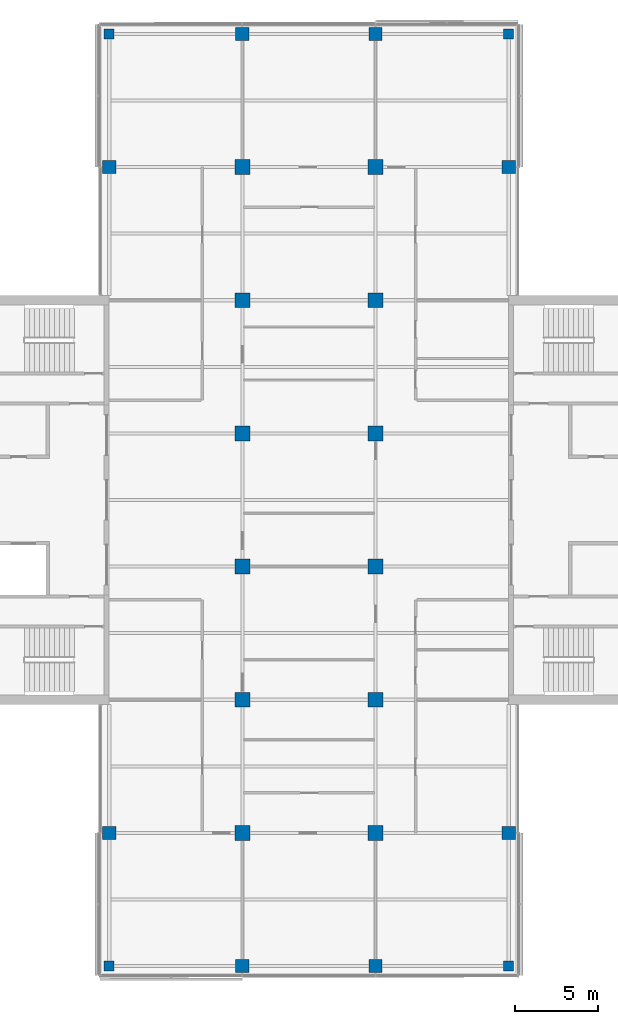
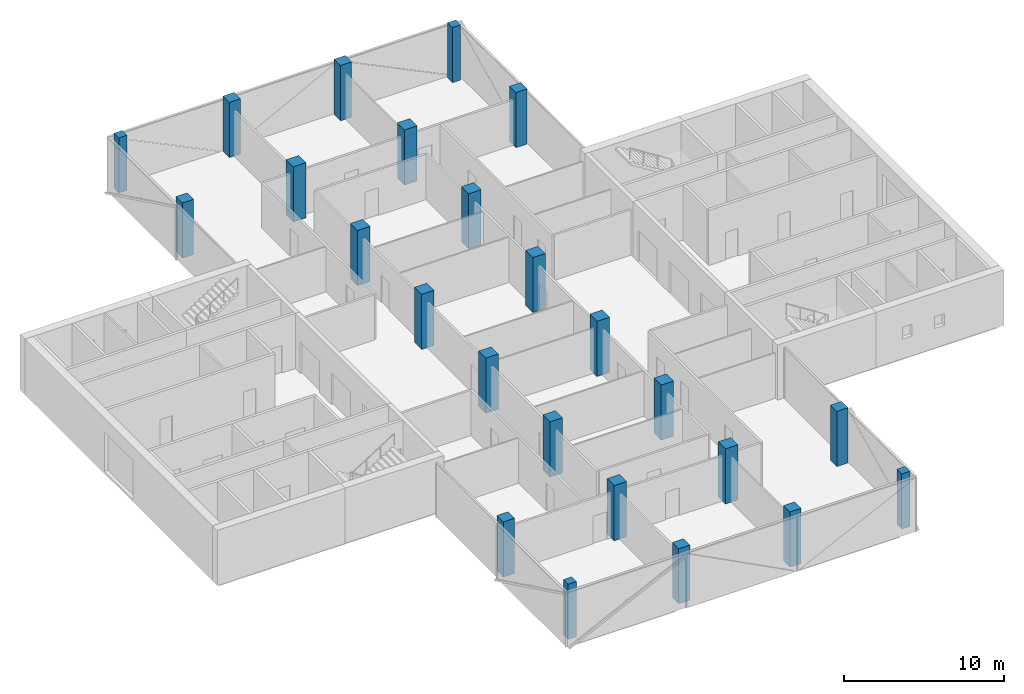
# One storey, part 1 of 15: 24 columns.
"""IFC4 building model written with IfcOpenShell, lengths in metres."""

from ifc_helpers import new_model, si_unit, direction, frame, origin, origin_2d, place, context, subcontext, project, spatial, rectangle, extrude, material, material_profile, profile_set, type_object, element, save


model = new_model("IFC4")

# Units and contexts
model_context = context("Model", 3, precision=1e-05, world=origin(), true_north=direction((0.0, 1.0)))
body_context = subcontext(model_context, "Body", "Model", "MODEL_VIEW")
ifc_project = project(units=[si_unit("LENGTHUNIT", "METRE"), si_unit("AREAUNIT", "SQUARE_METRE"), si_unit("VOLUMEUNIT", "CUBIC_METRE"), si_unit("PLANEANGLEUNIT", "RADIAN"), si_unit("MASSUNIT", "GRAM", prefix="KILO")], contexts=[model_context])

# Site, building, storey
site_placement = place(None, origin())
site = spatial("IfcSite", under=ifc_project, at=site_placement, CompositionType="ELEMENT")
building_placement = place(site_placement, origin())
building = spatial("IfcBuilding", under=site, at=building_placement, Name="Crosswind Convention Tower", CompositionType="ELEMENT")
storey_placement = place(building_placement, frame((0.0, 0.0, 195.699951171875)))
storey = spatial("IfcBuildingStorey", under=building, at=storey_placement, Name="L41", CompositionType="ELEMENT", Elevation=195.699951171875)

# Columns
ifc_material = material(Name="Concrete C60/75", Category="concrete")
ifc_material_profile_1 = material_profile(ifc_material, rectangle(XDim=0.60009765625, YDim=0.60009765625, at=origin_2d()), Name="RC 600X600")
ifc_profile_set_1 = profile_set([ifc_material_profile_1], Name="Concrete C60/75")
column_type_1 = type_object("IfcColumnType", Name="Column RC 600X600", PredefinedType="COLUMN", material=ifc_profile_set_1)
for number, where, z_axis, x_axis, name in (
    (1, (113.0, 72.0, 0.0), (0.0, 0.0, 1.0), (1.0, 0.0, 0.0), "C16 L41 5/C"),
    (2, (113.0, 128.0, 0.0), (0.0, 0.0, 1.0), (1.0, 0.0, 0.0), "C16 L41 5/J"),
    (3, (137.0, 72.0, 0.0), (0.0, 0.0, 1.0), (1.0, 0.0, 0.0), "C16 L41 8/C"),
    (4, (137.0, 128.0, 0.0), (0.0, 0.0, 1.0), (1.0, 0.0, 0.0), "C16 L41 8/J"),
):
    element("IfcColumn", number, at=place(storey_placement, frame(where, z_axis=z_axis, x_axis=x_axis)), inside=storey, type_object=column_type_1, Name=name, PredefinedType="COLUMN", context=body_context, shape_type="SweptSolid", body=[
        extrude(rectangle(XDim=0.60009765625, YDim=0.60009765625, at=origin_2d()), origin(), (0.0, 0.0, 1.0), 4.199951171875),
    ])
ifc_material_profile_2 = material_profile(ifc_material, rectangle(XDim=0.800048828125, YDim=0.800048828125, at=origin_2d()), Name="RC 800X800")
ifc_profile_set_2 = profile_set([ifc_material_profile_2], Name="Concrete C60/75")
column_type_2 = type_object("IfcColumnType", Name="Column RC 800X800", PredefinedType="COLUMN", material=ifc_profile_set_2)
for number, where, z_axis, x_axis, name in (
    (5, (113.0, 80.0, 0.0), (0.0, 0.0, 1.0), (1.0, 0.0, 0.0), "C14 L41 5/D"),
    (6, (113.0, 120.0, 0.0), (0.0, 0.0, 1.0), (1.0, 0.0, 0.0), "C14 L41 5/I"),
    (7, (121.0, 72.0, 0.0), (0.0, 0.0, 1.0), (1.0, 0.0, 0.0), "C14 L41 6/C"),
    (8, (121.0, 128.0, 0.0), (0.0, 0.0, 1.0), (1.0, 0.0, 0.0), "C14 L41 6/J"),
    (9, (129.0, 72.0, 0.0), (0.0, 0.0, 1.0), (1.0, 0.0, 0.0), "C14 L41 7/C"),
    (10, (129.0, 128.0, 0.0), (0.0, 0.0, 1.0), (1.0, 0.0, 0.0), "C14 L41 7/J"),
    (11, (137.0, 80.0, 0.0), (0.0, 0.0, 1.0), (1.0, 0.0, 0.0), "C14 L41 8/D"),
    (12, (137.0, 120.0, 0.0), (0.0, 0.0, 1.0), (1.0, 0.0, 0.0), "C14 L41 8/I"),
):
    element("IfcColumn", number, at=place(storey_placement, frame(where, z_axis=z_axis, x_axis=x_axis)), inside=storey, type_object=column_type_2, Name=name, PredefinedType="COLUMN", context=body_context, shape_type="SweptSolid", body=[
        extrude(rectangle(XDim=0.800048828125, YDim=0.800048828125, at=origin_2d()), origin(), (0.0, 0.0, 1.0), 4.199951171875),
    ])
ifc_material_profile_3 = material_profile(ifc_material, rectangle(XDim=0.89990234375, YDim=0.89990234375, at=origin_2d()), Name="RC 900X900")
ifc_profile_set_3 = profile_set([ifc_material_profile_3], Name="Concrete C60/75")
column_type_3 = type_object("IfcColumnType", Name="Column RC 900X900", PredefinedType="COLUMN", material=ifc_profile_set_3)
for number, where, z_axis, x_axis, name in (
    (13, (121.0, 80.0, 0.0), (0.0, 0.0, 1.0), (1.0, 0.0, 0.0), "C13 L41 6/D"),
    (14, (121.0, 88.0, 0.0), (0.0, 0.0, 1.0), (1.0, 0.0, 0.0), "C13 L41 6/E"),
    (15, (121.0, 96.0, 0.0), (0.0, 0.0, 1.0), (1.0, 0.0, 0.0), "C13 L41 6/F"),
    (16, (121.0, 104.0, 0.0), (0.0, 0.0, 1.0), (1.0, 0.0, 0.0), "C13 L41 6/G"),
    (17, (121.0, 112.0, 0.0), (0.0, 0.0, 1.0), (1.0, 0.0, 0.0), "C13 L41 6/H"),
    (18, (121.0, 120.0, 0.0), (0.0, 0.0, 1.0), (1.0, 0.0, 0.0), "C13 L41 6/I"),
    (19, (129.0, 80.0, 0.0), (0.0, 0.0, 1.0), (1.0, 0.0, 0.0), "C13 L41 7/D"),
    (20, (129.0, 88.0, 0.0), (0.0, 0.0, 1.0), (1.0, 0.0, 0.0), "C13 L41 7/E"),
    (21, (129.0, 96.0, 0.0), (0.0, 0.0, 1.0), (1.0, 0.0, 0.0), "C13 L41 7/F"),
    (22, (129.0, 104.0, 0.0), (0.0, 0.0, 1.0), (1.0, 0.0, 0.0), "C13 L41 7/G"),
    (23, (129.0, 112.0, 0.0), (0.0, 0.0, 1.0), (1.0, 0.0, 0.0), "C13 L41 7/H"),
    (24, (129.0, 120.0, 0.0), (0.0, 0.0, 1.0), (1.0, 0.0, 0.0), "C13 L41 7/I"),
):
    element("IfcColumn", number, at=place(storey_placement, frame(where, z_axis=z_axis, x_axis=x_axis)), inside=storey, type_object=column_type_3, Name=name, PredefinedType="COLUMN", context=body_context, shape_type="SweptSolid", body=[
        extrude(rectangle(XDim=0.89990234375, YDim=0.89990234375, at=origin_2d()), origin(), (0.0, 0.0, 1.0), 4.199951171875),
    ])

save(model, "model.ifc")
